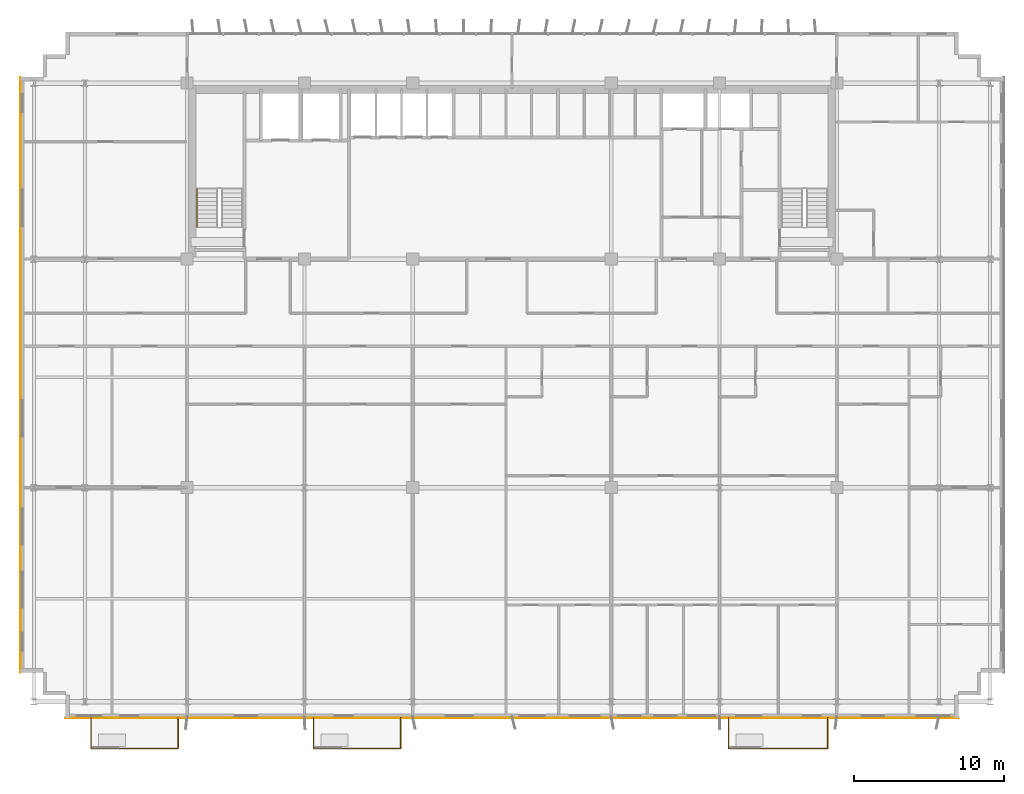
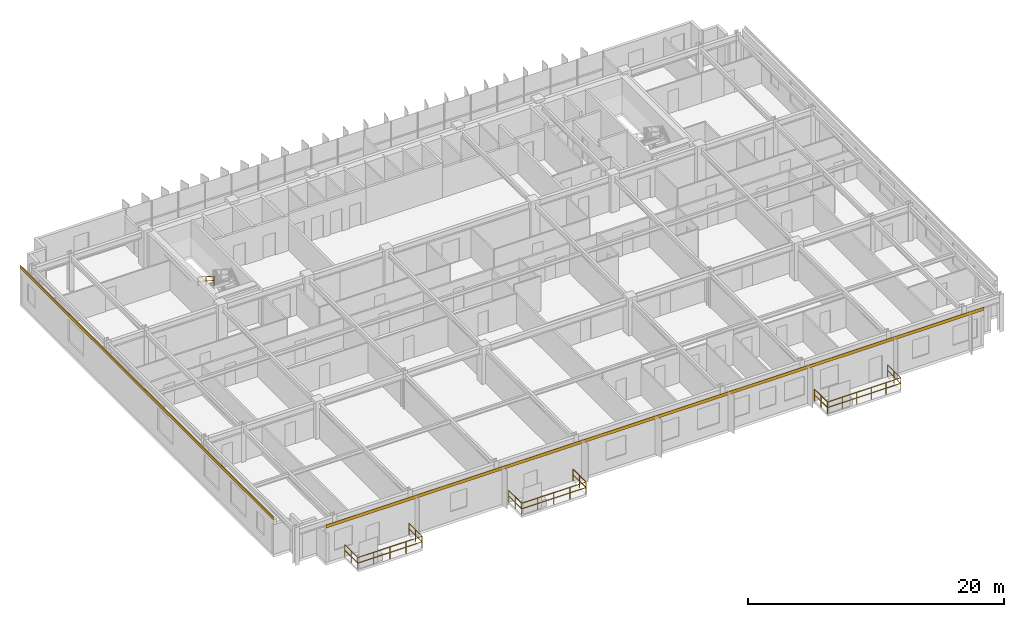
# One storey, part 20 of 22: 10 railings, 2 coverings.
"""IFC4 building model written with IfcOpenShell, lengths in metres."""

from ifc_helpers import new_model, si_unit, direction, frame, origin, origin_2d, place, context, subcontext, project, spatial, rectangle, extrude, source, transform, mapped, material, layer, layer_set, type_object, element, save


model = new_model("IFC4")

# Units and contexts
model_context = context("Model", 3, precision=1e-05, world=origin(), true_north=direction((0.0, 1.0)))
body_context = subcontext(model_context, "Body", "Model", "MODEL_VIEW")
ifc_project = project(units=[si_unit("LENGTHUNIT", "METRE"), si_unit("AREAUNIT", "SQUARE_METRE"), si_unit("VOLUMEUNIT", "CUBIC_METRE"), si_unit("PLANEANGLEUNIT", "RADIAN"), si_unit("MASSUNIT", "GRAM", prefix="KILO")], contexts=[model_context])

# Site, building, storey
site_placement = place(None, origin())
site = spatial("IfcSite", under=ifc_project, at=site_placement, CompositionType="ELEMENT")
building_placement = place(site_placement, origin())
building = spatial("IfcBuilding", under=site, at=building_placement, Name="Trelvane Seafront Commons", CompositionType="ELEMENT")
storey_placement = place(building_placement, frame((0.0, 0.0, 85.300048828125)))
storey = spatial("IfcBuildingStorey", under=building, at=storey_placement, Name="L21", CompositionType="ELEMENT", Elevation=85.300048828125)

# Railings
ifc_material_1 = material(Name="Stainless steel balustrade", Category="steel")
railing_type_1 = type_object("IfcRailingType", Name="ARCH-RAIL-BAL1150", PredefinedType="BALUSTRADE", material=ifc_material_1)
railing_1_placement = place(storey_placement, frame((9.199951171875, 2.89990234375, 0.0)))
element("IfcRailing", 1, at=railing_1_placement, inside=storey, type_object=railing_type_1, Name="RL-L21-BAL0-01", PredefinedType="BALUSTRADE", context=body_context, shape_type="SweptSolid", body=[
    extrude(rectangle(XDim=0.048095703125, YDim=0.048095703125, at=origin_2d()), frame((0.0, 0.0, 1.1259765625), z_axis=(0.0, -1.0, 0.0), x_axis=(1.0, 0.0, 0.0)), (0.0, 0.0, 1.0), 2.039794921875),
    extrude(rectangle(XDim=0.048095703125, YDim=0.048095703125, at=origin_2d()), frame((0.0, 0.0, 0.597900390625), z_axis=(0.0, -1.0, 0.0), x_axis=(1.0, 0.0, 0.0)), (0.0, 0.0, 1.0), 2.039794921875),
    extrude(rectangle(XDim=0.0419921875, YDim=0.0419921875, at=origin_2d()), origin(), (0.0, 0.0, 1.0), 1.1259765625),
    extrude(rectangle(XDim=0.0419921875, YDim=0.0419921875, at=origin_2d()), frame((0.0, -1.02001953125, 0.0)), (0.0, 0.0, 1.0), 1.1259765625),
    extrude(rectangle(XDim=0.0419921875, YDim=0.0419921875, at=origin_2d()), frame((0.0, -2.039794921875, 0.0)), (0.0, 0.0, 1.0), 1.1259765625),
])
railing_2_placement = place(storey_placement, frame((9.199951171875, 0.860107421875, 0.0)))
element("IfcRailing", 2, at=railing_2_placement, inside=storey, type_object=railing_type_1, Name="RL-L21-BAL0-02", PredefinedType="BALUSTRADE", context=body_context, shape_type="SweptSolid", body=[
    extrude(rectangle(XDim=0.048095703125, YDim=0.048095703125, at=origin_2d()), frame((0.0, 0.0, 1.1259765625), z_axis=(1.0, 0.0, 0.0), x_axis=(0.0, 1.0, 0.0)), (0.0, 0.0, 1.0), 5.800048828125),
    extrude(rectangle(XDim=0.048095703125, YDim=0.048095703125, at=origin_2d()), frame((0.0, 0.0, 0.597900390625), z_axis=(1.0, 0.0, 0.0), x_axis=(0.0, 1.0, 0.0)), (0.0, 0.0, 1.0), 5.800048828125),
    extrude(rectangle(XDim=0.0419921875, YDim=0.0419921875, at=origin_2d()), origin(), (0.0, 0.0, 1.0), 1.1259765625),
    extrude(rectangle(XDim=0.0419921875, YDim=0.0419921875, at=origin_2d()), frame((1.449951171875, 0.0, 0.0)), (0.0, 0.0, 1.0), 1.1259765625),
    extrude(rectangle(XDim=0.0419921875, YDim=0.0419921875, at=origin_2d()), frame((2.89990234375, 0.0, 0.0)), (0.0, 0.0, 1.0), 1.1259765625),
    extrude(rectangle(XDim=0.0419921875, YDim=0.0419921875, at=origin_2d()), frame((4.35009765625, 0.0, 0.0)), (0.0, 0.0, 1.0), 1.1259765625),
    extrude(rectangle(XDim=0.0419921875, YDim=0.0419921875, at=origin_2d()), frame((5.800048828125, 0.0, 0.0)), (0.0, 0.0, 1.0), 1.1259765625),
])
railing_3_placement = place(storey_placement, frame((15.0, 0.860107421875, 0.0)))
element("IfcRailing", 3, at=railing_3_placement, inside=storey, type_object=railing_type_1, Name="RL-L21-BAL0-03", PredefinedType="BALUSTRADE", context=body_context, shape_type="SweptSolid", body=[
    extrude(rectangle(XDim=0.048095703125, YDim=0.048095703125, at=origin_2d()), frame((0.0, 0.0, 1.1259765625), z_axis=(0.0, 1.0, 0.0), x_axis=(-1.0, 0.0, 0.0)), (0.0, 0.0, 1.0), 2.039794921875),
    extrude(rectangle(XDim=0.048095703125, YDim=0.048095703125, at=origin_2d()), frame((0.0, 0.0, 0.597900390625), z_axis=(0.0, 1.0, 0.0), x_axis=(-1.0, 0.0, 0.0)), (0.0, 0.0, 1.0), 2.039794921875),
    extrude(rectangle(XDim=0.0419921875, YDim=0.0419921875, at=origin_2d()), origin(), (0.0, 0.0, 1.0), 1.1259765625),
    extrude(rectangle(XDim=0.0419921875, YDim=0.0419921875, at=origin_2d()), frame((0.0, 1.02001953125, 0.0)), (0.0, 0.0, 1.0), 1.1259765625),
    extrude(rectangle(XDim=0.0419921875, YDim=0.0419921875, at=origin_2d()), frame((0.0, 2.039794921875, 0.0)), (0.0, 0.0, 1.0), 1.1259765625),
])
railing_4_placement = place(storey_placement, frame((24.0, 2.89990234375, 0.0)))
element("IfcRailing", 4, at=railing_4_placement, inside=storey, type_object=railing_type_1, Name="RL-L21-BAL1-01", PredefinedType="BALUSTRADE", context=body_context, shape_type="SweptSolid", body=[
    extrude(rectangle(XDim=0.048095703125, YDim=0.048095703125, at=origin_2d()), frame((0.0, 0.0, 1.1259765625), z_axis=(0.0, -1.0, 0.0), x_axis=(1.0, 0.0, 0.0)), (0.0, 0.0, 1.0), 2.039794921875),
    extrude(rectangle(XDim=0.048095703125, YDim=0.048095703125, at=origin_2d()), frame((0.0, 0.0, 0.597900390625), z_axis=(0.0, -1.0, 0.0), x_axis=(1.0, 0.0, 0.0)), (0.0, 0.0, 1.0), 2.039794921875),
    extrude(rectangle(XDim=0.0419921875, YDim=0.0419921875, at=origin_2d()), origin(), (0.0, 0.0, 1.0), 1.1259765625),
    extrude(rectangle(XDim=0.0419921875, YDim=0.0419921875, at=origin_2d()), frame((0.0, -1.02001953125, 0.0)), (0.0, 0.0, 1.0), 1.1259765625),
    extrude(rectangle(XDim=0.0419921875, YDim=0.0419921875, at=origin_2d()), frame((0.0, -2.039794921875, 0.0)), (0.0, 0.0, 1.0), 1.1259765625),
])
railing_5_placement = place(storey_placement, frame((24.0, 0.860107421875, 0.0)))
element("IfcRailing", 5, at=railing_5_placement, inside=storey, type_object=railing_type_1, Name="RL-L21-BAL1-02", PredefinedType="BALUSTRADE", context=body_context, shape_type="SweptSolid", body=[
    extrude(rectangle(XDim=0.048095703125, YDim=0.048095703125, at=origin_2d()), frame((0.0, 0.0, 1.1259765625), z_axis=(1.0, 0.0, 0.0), x_axis=(0.0, 1.0, 0.0)), (0.0, 0.0, 1.0), 5.800048828125),
    extrude(rectangle(XDim=0.048095703125, YDim=0.048095703125, at=origin_2d()), frame((0.0, 0.0, 0.597900390625), z_axis=(1.0, 0.0, 0.0), x_axis=(0.0, 1.0, 0.0)), (0.0, 0.0, 1.0), 5.800048828125),
    extrude(rectangle(XDim=0.0419921875, YDim=0.0419921875, at=origin_2d()), origin(), (0.0, 0.0, 1.0), 1.1259765625),
    extrude(rectangle(XDim=0.0419921875, YDim=0.0419921875, at=origin_2d()), frame((1.449951171875, 0.0, 0.0)), (0.0, 0.0, 1.0), 1.1259765625),
    extrude(rectangle(XDim=0.0419921875, YDim=0.0419921875, at=origin_2d()), frame((2.89990234375, 0.0, 0.0)), (0.0, 0.0, 1.0), 1.1259765625),
    extrude(rectangle(XDim=0.0419921875, YDim=0.0419921875, at=origin_2d()), frame((4.35009765625, 0.0, 0.0)), (0.0, 0.0, 1.0), 1.1259765625),
    extrude(rectangle(XDim=0.0419921875, YDim=0.0419921875, at=origin_2d()), frame((5.800048828125, 0.0, 0.0)), (0.0, 0.0, 1.0), 1.1259765625),
])
railing_6_placement = place(storey_placement, frame((29.800048828125, 0.860107421875, 0.0)))
element("IfcRailing", 6, at=railing_6_placement, inside=storey, type_object=railing_type_1, Name="RL-L21-BAL1-03", PredefinedType="BALUSTRADE", context=body_context, shape_type="SweptSolid", body=[
    extrude(rectangle(XDim=0.048095703125, YDim=0.048095703125, at=origin_2d()), frame((0.0, 0.0, 1.1259765625), z_axis=(0.0, 1.0, 0.0), x_axis=(-1.0, 0.0, 0.0)), (0.0, 0.0, 1.0), 2.039794921875),
    extrude(rectangle(XDim=0.048095703125, YDim=0.048095703125, at=origin_2d()), frame((0.0, 0.0, 0.597900390625), z_axis=(0.0, 1.0, 0.0), x_axis=(-1.0, 0.0, 0.0)), (0.0, 0.0, 1.0), 2.039794921875),
    extrude(rectangle(XDim=0.0419921875, YDim=0.0419921875, at=origin_2d()), origin(), (0.0, 0.0, 1.0), 1.1259765625),
    extrude(rectangle(XDim=0.0419921875, YDim=0.0419921875, at=origin_2d()), frame((0.0, 1.02001953125, 0.0)), (0.0, 0.0, 1.0), 1.1259765625),
    extrude(rectangle(XDim=0.0419921875, YDim=0.0419921875, at=origin_2d()), frame((0.0, 2.039794921875, 0.0)), (0.0, 0.0, 1.0), 1.1259765625),
])
railing_7_placement = place(storey_placement, frame((51.60009765625, 2.89990234375, 0.0)))
element("IfcRailing", 7, at=railing_7_placement, inside=storey, type_object=railing_type_1, Name="RL-L21-BAL2-01", PredefinedType="BALUSTRADE", context=body_context, shape_type="SweptSolid", body=[
    extrude(rectangle(XDim=0.048095703125, YDim=0.048095703125, at=origin_2d()), frame((0.0, 0.0, 1.1259765625), z_axis=(0.0, -1.0, 0.0), x_axis=(1.0, 0.0, 0.0)), (0.0, 0.0, 1.0), 2.039794921875),
    extrude(rectangle(XDim=0.048095703125, YDim=0.048095703125, at=origin_2d()), frame((0.0, 0.0, 0.597900390625), z_axis=(0.0, -1.0, 0.0), x_axis=(1.0, 0.0, 0.0)), (0.0, 0.0, 1.0), 2.039794921875),
    extrude(rectangle(XDim=0.0419921875, YDim=0.0419921875, at=origin_2d()), origin(), (0.0, 0.0, 1.0), 1.1259765625),
    extrude(rectangle(XDim=0.0419921875, YDim=0.0419921875, at=origin_2d()), frame((0.0, -1.02001953125, 0.0)), (0.0, 0.0, 1.0), 1.1259765625),
    extrude(rectangle(XDim=0.0419921875, YDim=0.0419921875, at=origin_2d()), frame((0.0, -2.039794921875, 0.0)), (0.0, 0.0, 1.0), 1.1259765625),
])
railing_8_placement = place(storey_placement, frame((51.60009765625, 0.860107421875, 0.0)))
element("IfcRailing", 8, at=railing_8_placement, inside=storey, type_object=railing_type_1, Name="RL-L21-BAL2-02", PredefinedType="BALUSTRADE", context=body_context, shape_type="SweptSolid", body=[
    extrude(rectangle(XDim=0.048095703125, YDim=0.048095703125, at=origin_2d()), frame((0.0, 0.0, 1.1259765625), z_axis=(1.0, 0.0, 0.0), x_axis=(0.0, 1.0, 0.0)), (0.0, 0.0, 1.0), 6.599853515625),
    extrude(rectangle(XDim=0.048095703125, YDim=0.048095703125, at=origin_2d()), frame((0.0, 0.0, 0.597900390625), z_axis=(1.0, 0.0, 0.0), x_axis=(0.0, 1.0, 0.0)), (0.0, 0.0, 1.0), 6.599853515625),
    extrude(rectangle(XDim=0.0419921875, YDim=0.0419921875, at=origin_2d()), origin(), (0.0, 0.0, 1.0), 1.1259765625),
    extrude(rectangle(XDim=0.0419921875, YDim=0.0419921875, at=origin_2d()), frame((1.320068359375, 0.0, 0.0)), (0.0, 0.0, 1.0), 1.1259765625),
    extrude(rectangle(XDim=0.0419921875, YDim=0.0419921875, at=origin_2d()), frame((2.639892578125, 0.0, 0.0)), (0.0, 0.0, 1.0), 1.1259765625),
    extrude(rectangle(XDim=0.0419921875, YDim=0.0419921875, at=origin_2d()), frame((3.9599609375, 0.0, 0.0)), (0.0, 0.0, 1.0), 1.1259765625),
    extrude(rectangle(XDim=0.0419921875, YDim=0.0419921875, at=origin_2d()), frame((5.27978515625, 0.0, 0.0)), (0.0, 0.0, 1.0), 1.1259765625),
    extrude(rectangle(XDim=0.0419921875, YDim=0.0419921875, at=origin_2d()), frame((6.599853515625, 0.0, 0.0)), (0.0, 0.0, 1.0), 1.1259765625),
])
railing_9_placement = place(storey_placement, frame((58.199951171875, 0.860107421875, 0.0)))
element("IfcRailing", 9, at=railing_9_placement, inside=storey, type_object=railing_type_1, Name="RL-L21-BAL2-03", PredefinedType="BALUSTRADE", context=body_context, shape_type="SweptSolid", body=[
    extrude(rectangle(XDim=0.048095703125, YDim=0.048095703125, at=origin_2d()), frame((0.0, 0.0, 1.1259765625), z_axis=(0.0, 1.0, 0.0), x_axis=(-1.0, 0.0, 0.0)), (0.0, 0.0, 1.0), 2.039794921875),
    extrude(rectangle(XDim=0.048095703125, YDim=0.048095703125, at=origin_2d()), frame((0.0, 0.0, 0.597900390625), z_axis=(0.0, 1.0, 0.0), x_axis=(-1.0, 0.0, 0.0)), (0.0, 0.0, 1.0), 2.039794921875),
    extrude(rectangle(XDim=0.0419921875, YDim=0.0419921875, at=origin_2d()), origin(), (0.0, 0.0, 1.0), 1.1259765625),
    extrude(rectangle(XDim=0.0419921875, YDim=0.0419921875, at=origin_2d()), frame((0.0, 1.02001953125, 0.0)), (0.0, 0.0, 1.0), 1.1259765625),
    extrude(rectangle(XDim=0.0419921875, YDim=0.0419921875, at=origin_2d()), frame((0.0, 2.039794921875, 0.0)), (0.0, 0.0, 1.0), 1.1259765625),
])
railing_type_2 = type_object("IfcRailingType", Name="ARCH-SRL-HAND", PredefinedType="HANDRAIL", material=ifc_material_1)
railing_10_placement = place(storey_placement, frame((16.25, 38.070068359375, 1.97998046875)))
element("IfcRailing", 10, at=railing_10_placement, inside=storey, type_object=railing_type_2, Name="L21 ST-1 stair handrail 2", PredefinedType="HANDRAIL", context=body_context, shape_type="SweptSolid", body=[
    extrude(rectangle(XDim=0.048095703125, YDim=0.048095703125, at=origin_2d()), frame((0.0, 0.0, 0.8759765625), z_axis=(0.0, -0.841199657755, 0.540724639528), x_axis=(1.0, 0.0, 0.0)), (0.0, 0.0, 1.0), 2.995849609375),
    extrude(rectangle(XDim=0.048095703125, YDim=0.048095703125, at=origin_2d()), frame((0.0, 0.0, 0.468017578125), z_axis=(0.0, -0.841199657755, 0.540724639528), x_axis=(1.0, 0.0, 0.0)), (0.0, 0.0, 1.0), 2.995849609375),
    extrude(rectangle(XDim=0.0419921875, YDim=0.0419921875, at=origin_2d()), origin(), (0.0, 0.0, 1.0), 0.8759765625),
    extrude(rectangle(XDim=0.0419921875, YDim=0.0419921875, at=origin_2d()), frame((0.0, -1.260009765625, 0.81005859375)), (0.0, 0.0, 1.0), 0.8759765625),
    extrude(rectangle(XDim=0.0419921875, YDim=0.0419921875, at=origin_2d()), frame((0.0, -2.52001953125, 1.619873046875)), (0.0, 0.0, 1.0), 0.8759765625),
])

# Coverings
ifc_material_2 = material(Name="Anodised pale-silver aluminium", Category="aluminium")
ifc_layer = layer(ifc_material_2, 0.034912109375, Name="ARCH-COV-CLAD35")
ifc_layer_set = layer_set([ifc_layer], Name="Anodised pale-silver aluminium")
covering_type = type_object("IfcCoveringType", Name="ARCH-COV-CLAD35", PredefinedType="CLADDING", material=ifc_layer_set)
shared_shape_1 = source(origin(), body_context, "Body", "SweptSolid", [
    extrude(rectangle(XDim=39.60009765625, YDim=0.034912109375, at=origin_2d()), origin(), (0.0, 0.0, 1.0), 0.300048828125),
])
covering_1_placement = place(storey_placement, frame((4.5, 25.699951171875, 3.2998046875), z_axis=(0.0, 0.0, 1.0), x_axis=(0.0, 1.0, 0.0)))
element("IfcCovering", 11, at=covering_1_placement, inside=storey, type_object=covering_type, Name="CLD-L21-00094", PredefinedType="CLADDING", context=body_context, shape_type="MappedRepresentation", body=[
    mapped(shared_shape_1, transform((0.0, 0.0, 0.0), x_axis=(1.0, 0.0, 0.0), y_axis=(0.0, 1.0, 0.0), z_axis=(0.0, 0.0, 1.0), scale=1.0)),
])
shared_shape_2 = source(origin(), body_context, "Body", "SweptSolid", [
    extrude(rectangle(XDim=59.39990234375, YDim=0.034912109375, at=origin_2d()), origin(), (0.0, 0.0, 1.0), 0.300048828125),
])
covering_2_placement = place(storey_placement, frame((37.199951171875, 2.89990234375, 3.2998046875), z_axis=(0.0, 0.0, 1.0), x_axis=(-1.0, 0.0, 0.0)))
element("IfcCovering", 12, at=covering_2_placement, inside=storey, type_object=covering_type, Name="CLD-L21-00096", PredefinedType="CLADDING", context=body_context, shape_type="MappedRepresentation", body=[
    mapped(shared_shape_2, transform((0.0, 0.0, 0.0), x_axis=(1.0, 0.0, 0.0), y_axis=(0.0, 1.0, 0.0), z_axis=(0.0, 0.0, 1.0), scale=1.0)),
])

save(model, "model.ifc")
